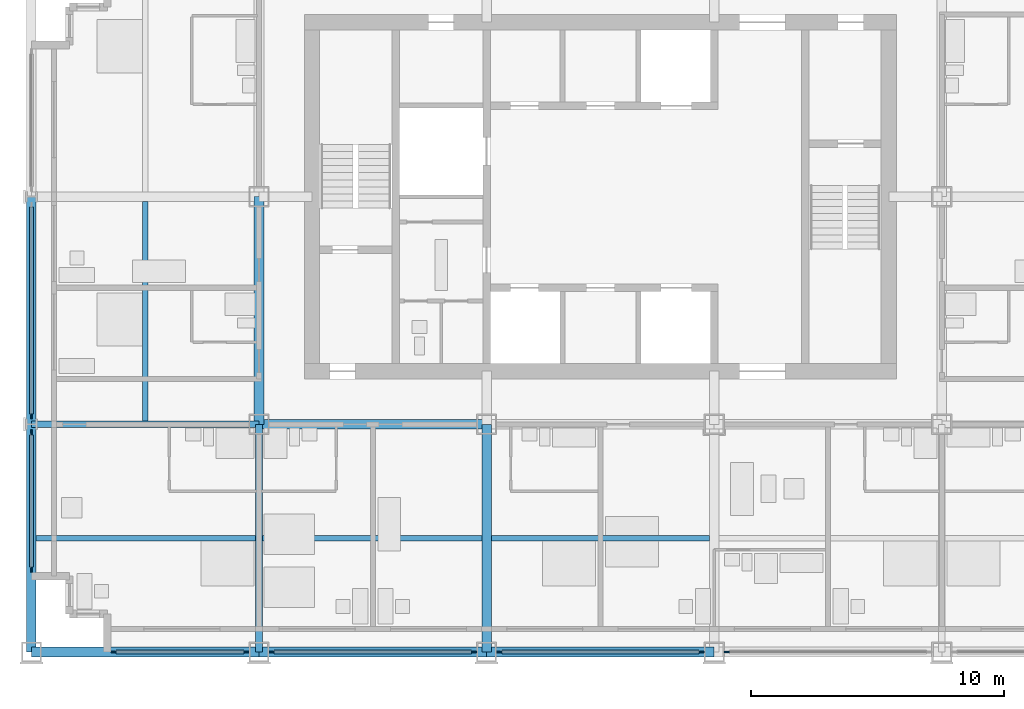
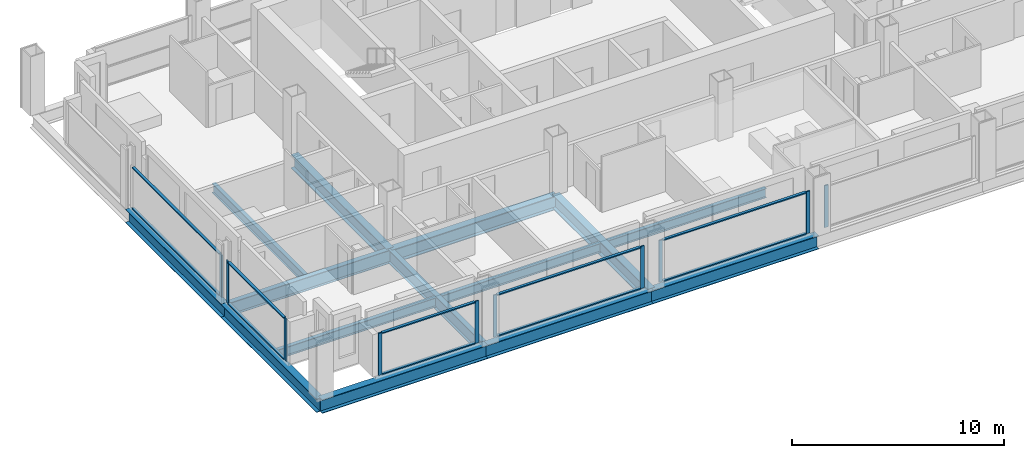
# One storey, part 2 of 13: 20 members, 14 beams, 6 elements without a shape of their own.
"""IFC4 building model written with IfcOpenShell, lengths in metres."""

from ifc_helpers import new_model, si_unit, direction, frame, origin, origin_2d, place, context, subcontext, project, spatial, rectangle, i_section, extrude, material, material_profile, profile_set, type_object, element, aggregate, save


model = new_model("IFC4")

# Units and contexts
model_context = context("Model", 3, precision=1e-05, world=origin(), true_north=direction((0.0, 1.0)))
body_context = subcontext(model_context, "Body", "Model", "MODEL_VIEW")
ifc_project = project(units=[si_unit("LENGTHUNIT", "METRE"), si_unit("AREAUNIT", "SQUARE_METRE"), si_unit("VOLUMEUNIT", "CUBIC_METRE"), si_unit("PLANEANGLEUNIT", "RADIAN"), si_unit("MASSUNIT", "GRAM", prefix="KILO")], contexts=[model_context])

# Site, building, storey
site_placement = place(None, origin())
site = spatial("IfcSite", under=ifc_project, at=site_placement, CompositionType="ELEMENT")
building_placement = place(site_placement, origin())
building = spatial("IfcBuilding", under=site, at=building_placement, Name="Loomwork Tower", CompositionType="ELEMENT")
storey_placement = place(building_placement, frame((0.0, 0.0, 208.0)))
storey = spatial("IfcBuildingStorey", under=building, at=storey_placement, Name="L57", CompositionType="ELEMENT", Elevation=208.0)

# Beams
ifc_material_1 = material(Name="Steel ASTM A992", Category="steel")
ifc_material_profile_1 = material_profile(ifc_material_1, i_section(OverallWidth=0.383544921875, OverallDepth=0.794921875, WebThickness=0.02099609375, FlangeThickness=0.0380859375, at=origin_2d()), Name="W30x235")
ifc_profile_set_1 = profile_set([ifc_material_profile_1], Name="Steel ASTM A992")
beam_type_1 = type_object("IfcBeamType", Name="CORE FLANK GIRDER W30x235", PredefinedType="BEAM", material=ifc_profile_set_1)
for number, where, z_axis, x_axis, name in (
    (1, (9.0, 9.0, -0.597412109375), (1.0, 0.0, 0.0), (0.0, 1.0, 0.0), "Core Flank Girder E/3-E/4 L57"),
    (2, (9.0, 9.0, -0.597412109375), (0.0, 1.0, 0.0), (-1.0, 0.0, 0.0), "Core Flank Girder E/3-F/3 L57"),
    (3, (18.0, 0.0, -0.597412109375), (0.0, 1.0, 0.0), (-1.0, 0.0, 0.0), "Core Flank Girder D/4-E/4 L57"),
):
    element("IfcBeam", number, at=place(storey_placement, frame(where, z_axis=z_axis, x_axis=x_axis)), inside=storey, type_object=beam_type_1, Name=name, PredefinedType="BEAM", context=body_context, shape_type="SweptSolid", body=[
        extrude(i_section(OverallWidth=0.383544921875, OverallDepth=0.794921875, WebThickness=0.02099609375, FlangeThickness=0.0380859375, at=origin_2d()), origin(), (0.0, 0.0, 1.0), 9.0),
    ])
ifc_material_2 = material(Name="Steel ASTM A992", Category="steel")
ifc_material_profile_2 = material_profile(ifc_material_2, i_section(OverallWidth=0.2666015625, OverallDepth=0.761962890625, WebThickness=0.014404296875, FlangeThickness=0.021484375, at=origin_2d()), Name="W30x116")
ifc_profile_set_2 = profile_set([ifc_material_profile_2], Name="Steel ASTM A992")
beam_type_2 = type_object("IfcBeamType", Name="FLOOR GIRDER W30x116", PredefinedType="BEAM", material=ifc_profile_set_2)
for number, where, z_axis, x_axis, name in (
    (4, (0.0, 9.0, -0.5810546875), (1.0, 0.0, 0.0), (0.0, 1.0, 0.0), "Floor Girder E/2-E/3 L57"),
    (5, (9.0, 0.0, -0.5810546875), (0.0, 1.0, 0.0), (-1.0, 0.0, 0.0), "Floor Girder D/3-E/3 L57"),
):
    element("IfcBeam", number, at=place(storey_placement, frame(where, z_axis=z_axis, x_axis=x_axis)), inside=storey, type_object=beam_type_2, Name=name, PredefinedType="BEAM", context=body_context, shape_type="SweptSolid", body=[
        extrude(i_section(OverallWidth=0.2666015625, OverallDepth=0.761962890625, WebThickness=0.014404296875, FlangeThickness=0.021484375, at=origin_2d()), origin(), (0.0, 0.0, 1.0), 9.0),
    ])
ifc_material_3 = material(Name="Steel ASTM A992", Category="steel")
ifc_material_profile_3 = material_profile(ifc_material_3, i_section(OverallWidth=0.2109375, OverallDepth=0.53857421875, WebThickness=0.011474609375, FlangeThickness=0.018798828125, at=origin_2d()), Name="W21x73")
ifc_profile_set_3 = profile_set([ifc_material_profile_3], Name="Steel ASTM A992")
beam_type_3 = type_object("IfcBeamType", Name="FLOOR JOIST W21x73", PredefinedType="JOIST", material=ifc_profile_set_3)
beam_1_placement = place(storey_placement, frame((0.18994140625, 4.5, -0.46923828125), z_axis=(1.0, 0.0, 0.0), x_axis=(0.0, 1.0, 0.0)))
element("IfcBeam", 6, at=beam_1_placement, inside=storey, type_object=beam_type_3, Name="Floor Joist 0.000,4.500-9.000,4.500 L57", PredefinedType="JOIST", context=body_context, shape_type="SweptSolid", body=[
    extrude(i_section(OverallWidth=0.2109375, OverallDepth=0.53857421875, WebThickness=0.011474609375, FlangeThickness=0.018798828125, at=origin_2d()), origin(), (0.0, 0.0, 1.0), 8.677001953125),
])
for number, where, z_axis, x_axis, name in (
    (7, (4.5, 9.133056640625, -0.46923828125), (0.0, 1.0, 0.0), (-1.0, 0.0, 0.0), "Floor Joist 4.500,9.000-4.500,18.000 L57"),
    (8, (9.133056640625, 4.5, -0.46923828125), (1.0, 0.0, 0.0), (0.0, 1.0, 0.0), "Floor Joist 9.000,4.500-18.000,4.500 L57"),
):
    element("IfcBeam", number, at=place(storey_placement, frame(where, z_axis=z_axis, x_axis=x_axis)), inside=storey, type_object=beam_type_3, Name=name, PredefinedType="JOIST", context=body_context, shape_type="SweptSolid", body=[
        extrude(i_section(OverallWidth=0.2109375, OverallDepth=0.53857421875, WebThickness=0.011474609375, FlangeThickness=0.018798828125, at=origin_2d()), origin(), (0.0, 0.0, 1.0), 8.676025390625),
    ])
beam_2_placement = place(storey_placement, frame((18.19091796875, 4.5, -0.46923828125), z_axis=(1.0, 0.0, 0.0), x_axis=(0.0, 1.0, 0.0)))
element("IfcBeam", 9, at=beam_2_placement, inside=storey, type_object=beam_type_3, Name="Floor Joist 18.000,4.500-27.000,4.500 L57", PredefinedType="JOIST", context=body_context, shape_type="SweptSolid", body=[
    extrude(i_section(OverallWidth=0.2109375, OverallDepth=0.53857421875, WebThickness=0.011474609375, FlangeThickness=0.018798828125, at=origin_2d()), origin(), (0.0, 0.0, 1.0), 8.6181640625),
])

# Curtain wall, members
ifc_material_4 = material(Name="Aluminium curtain wall frame", Category="aluminium")
curtain_wall_type = type_object("IfcCurtainWallType", Name="Outer skin glazing hotel", PredefinedType="NOTDEFINED", material=ifc_material_4)
curtain_wall_1_placement = place(storey_placement, origin())
curtain_wall_1 = element("IfcCurtainWall", 10, at=curtain_wall_1_placement, inside=storey, type_object=curtain_wall_type, Name="Outer skin glazing hotel cw/S-0", PredefinedType="NOTDEFINED")
ifc_material_5 = material(Name="Aluminium curtain wall frame", Category="aluminium")
ifc_material_profile_4 = material_profile(ifc_material_5, rectangle(XDim=0.06494140625, YDim=0.199951171875, at=origin_2d()), Name="AL 65x200")
ifc_profile_set_4 = profile_set([ifc_material_profile_4], Name="Aluminium curtain wall frame")
member_type_1 = type_object("IfcMemberType", Name="Outer skin glazing hotel mullion", PredefinedType="MULLION", material=ifc_profile_set_4)
member_1_placement = place(storey_placement, frame((3.25, 0.0, 0.0), z_axis=(0.0, 0.0, 1.0), x_axis=(0.0, 1.0, 0.0)))
member_1 = element("IfcMember", 11, at=member_1_placement, type_object=member_type_1, Name="CW1 mullion 1", PredefinedType="MULLION", context=body_context, shape_type="SweptSolid", body=[
    extrude(rectangle(XDim=0.06494140625, YDim=0.199951171875, at=origin_2d()), origin(), (0.0, 0.0, 1.0), 2.420166015625),
])
member_2_placement = place(storey_placement, frame((8.5, 0.0, 0.0), z_axis=(0.0, 0.0, 1.0), x_axis=(0.0, 1.0, 0.0)))
member_2 = element("IfcMember", 12, at=member_2_placement, type_object=member_type_1, Name="CW1 mullion 2", PredefinedType="MULLION", context=body_context, shape_type="SweptSolid", body=[
    extrude(rectangle(XDim=0.06494140625, YDim=0.199951171875, at=origin_2d()), origin(), (0.0, 0.0, 1.0), 2.420166015625),
])

curtain_wall_2_placement = place(storey_placement, origin())
curtain_wall_2 = element("IfcCurtainWall", 13, at=curtain_wall_2_placement, inside=storey, type_object=curtain_wall_type, Name="Outer skin glazing hotel cw/S-9", PredefinedType="NOTDEFINED")
member_3_placement = place(storey_placement, frame((9.5, 0.0, 0.0), z_axis=(0.0, 0.0, 1.0), x_axis=(0.0, 1.0, 0.0)))
member_3 = element("IfcMember", 14, at=member_3_placement, type_object=member_type_1, Name="CW1 mullion 1", PredefinedType="MULLION", context=body_context, shape_type="SweptSolid", body=[
    extrude(rectangle(XDim=0.06494140625, YDim=0.199951171875, at=origin_2d()), origin(), (0.0, 0.0, 1.0), 2.420166015625),
])
member_4_placement = place(storey_placement, frame((17.5, 0.0, 0.0), z_axis=(0.0, 0.0, 1.0), x_axis=(0.0, 1.0, 0.0)))
member_4 = element("IfcMember", 15, at=member_4_placement, type_object=member_type_1, Name="CW1 mullion 2", PredefinedType="MULLION", context=body_context, shape_type="SweptSolid", body=[
    extrude(rectangle(XDim=0.06494140625, YDim=0.199951171875, at=origin_2d()), origin(), (0.0, 0.0, 1.0), 2.420166015625),
])

curtain_wall_3_placement = place(storey_placement, origin())
curtain_wall_3 = element("IfcCurtainWall", 16, at=curtain_wall_3_placement, inside=storey, type_object=curtain_wall_type, Name="Outer skin glazing hotel cw/S-18", PredefinedType="NOTDEFINED")
member_5_placement = place(storey_placement, frame((18.5, 0.0, 0.0), z_axis=(0.0, 0.0, 1.0), x_axis=(0.0, 1.0, 0.0)))
member_5 = element("IfcMember", 17, at=member_5_placement, type_object=member_type_1, Name="CW1 mullion 1", PredefinedType="MULLION", context=body_context, shape_type="SweptSolid", body=[
    extrude(rectangle(XDim=0.06494140625, YDim=0.199951171875, at=origin_2d()), origin(), (0.0, 0.0, 1.0), 2.420166015625),
])
member_6_placement = place(storey_placement, frame((26.5, 0.0, 0.0), z_axis=(0.0, 0.0, 1.0), x_axis=(0.0, 1.0, 0.0)))
member_6 = element("IfcMember", 18, at=member_6_placement, type_object=member_type_1, Name="CW1 mullion 2", PredefinedType="MULLION", context=body_context, shape_type="SweptSolid", body=[
    extrude(rectangle(XDim=0.06494140625, YDim=0.199951171875, at=origin_2d()), origin(), (0.0, 0.0, 1.0), 2.420166015625),
])

# Curtain wall, member
curtain_wall_4_placement = place(storey_placement, origin())
curtain_wall_4 = element("IfcCurtainWall", 19, at=curtain_wall_4_placement, inside=storey, type_object=curtain_wall_type, Name="Outer skin glazing hotel cw/S-27", PredefinedType="NOTDEFINED")
member_7_placement = place(storey_placement, frame((27.5, 0.0, 0.0), z_axis=(0.0, 0.0, 1.0), x_axis=(0.0, 1.0, 0.0)))
member_7 = element("IfcMember", 20, at=member_7_placement, type_object=member_type_1, Name="CW1 mullion 1", PredefinedType="MULLION", context=body_context, shape_type="SweptSolid", body=[
    extrude(rectangle(XDim=0.06494140625, YDim=0.199951171875, at=origin_2d()), origin(), (0.0, 0.0, 1.0), 2.420166015625),
])
aggregate(curtain_wall_4, [member_7])

# Curtain wall, members
curtain_wall_5_placement = place(storey_placement, origin())
curtain_wall_5 = element("IfcCurtainWall", 21, at=curtain_wall_5_placement, inside=storey, type_object=curtain_wall_type, Name="Outer skin glazing hotel cw/W-0", PredefinedType="NOTDEFINED")
member_8_placement = place(storey_placement, frame((0.0, 8.6865234375, 0.0), z_axis=(0.0, 0.0, 1.0), x_axis=(1.0, 0.0, 0.0)))
member_8 = element("IfcMember", 22, at=member_8_placement, type_object=member_type_1, Name="CW1 mullion 1", PredefinedType="MULLION", context=body_context, shape_type="SweptSolid", body=[
    extrude(rectangle(XDim=0.06494140625, YDim=0.199951171875, at=origin_2d()), origin(), (0.0, 0.0, 1.0), 2.420166015625),
])
member_9_placement = place(storey_placement, frame((0.0, 3.25, 0.0), z_axis=(0.0, 0.0, 1.0), x_axis=(1.0, 0.0, 0.0)))
member_9 = element("IfcMember", 23, at=member_9_placement, type_object=member_type_1, Name="CW1 mullion 2", PredefinedType="MULLION", context=body_context, shape_type="SweptSolid", body=[
    extrude(rectangle(XDim=0.06494140625, YDim=0.199951171875, at=origin_2d()), origin(), (0.0, 0.0, 1.0), 2.420166015625),
])

# Curtain wall, member
curtain_wall_6_placement = place(storey_placement, origin())
curtain_wall_6 = element("IfcCurtainWall", 24, at=curtain_wall_6_placement, inside=storey, type_object=curtain_wall_type, Name="Outer skin glazing hotel cw/W-9", PredefinedType="NOTDEFINED")
member_10_placement = place(storey_placement, frame((0.0, 9.3134765625, 0.0), z_axis=(0.0, 0.0, 1.0), x_axis=(1.0, 0.0, 0.0)))
member_10 = element("IfcMember", 25, at=member_10_placement, type_object=member_type_1, Name="CW1 mullion 2", PredefinedType="MULLION", context=body_context, shape_type="SweptSolid", body=[
    extrude(rectangle(XDim=0.06494140625, YDim=0.199951171875, at=origin_2d()), origin(), (0.0, 0.0, 1.0), 2.420166015625),
])

# Member
ifc_material_6 = material(Name="Aluminium curtain wall frame", Category="aluminium")
ifc_material_profile_5 = material_profile(ifc_material_6, rectangle(XDim=0.14990234375, YDim=0.06494140625, at=origin_2d()), Name="AL 65x150")
ifc_profile_set_5 = profile_set([ifc_material_profile_5], Name="Aluminium curtain wall frame")
member_type_2 = type_object("IfcMemberType", Name="Outer skin glazing hotel transom", PredefinedType="USERDEFINED", material=ifc_profile_set_5)
member_11_placement = place(storey_placement, frame((3.35009765625, 0.0, 0.032470703125), z_axis=(1.0, 0.0, 0.0), x_axis=(0.0, 1.0, 0.0)))
member_11 = element("IfcMember", 26, at=member_11_placement, type_object=member_type_2, Name="CW1 transom 1.1", ObjectType="TRANSOM", PredefinedType="USERDEFINED", context=body_context, shape_type="SweptSolid", body=[
    extrude(rectangle(XDim=0.14990234375, YDim=0.06494140625, at=origin_2d()), origin(), (0.0, 0.0, 1.0), 5.0498046875),
])

member_12_placement = place(storey_placement, frame((3.35009765625, 0.0, 2.3876953125), z_axis=(1.0, 0.0, 0.0), x_axis=(0.0, 1.0, 0.0)))
member_12 = element("IfcMember", 27, at=member_12_placement, type_object=member_type_2, Name="CW1 transom 1.2", ObjectType="TRANSOM", PredefinedType="USERDEFINED", context=body_context, shape_type="SweptSolid", body=[
    extrude(rectangle(XDim=0.14990234375, YDim=0.06494140625, at=origin_2d()), origin(), (0.0, 0.0, 1.0), 5.0498046875),
])

aggregate(curtain_wall_1, [member_1, member_2, member_11, member_12])

member_13_placement = place(storey_placement, frame((9.60009765625, 0.0, 0.032470703125), z_axis=(1.0, 0.0, 0.0), x_axis=(0.0, 1.0, 0.0)))
member_13 = element("IfcMember", 28, at=member_13_placement, type_object=member_type_2, Name="CW1 transom 1.1", ObjectType="TRANSOM", PredefinedType="USERDEFINED", context=body_context, shape_type="SweptSolid", body=[
    extrude(rectangle(XDim=0.14990234375, YDim=0.06494140625, at=origin_2d()), origin(), (0.0, 0.0, 1.0), 7.7998046875),
])

member_14_placement = place(storey_placement, frame((9.60009765625, 0.0, 2.3876953125), z_axis=(1.0, 0.0, 0.0), x_axis=(0.0, 1.0, 0.0)))
member_14 = element("IfcMember", 29, at=member_14_placement, type_object=member_type_2, Name="CW1 transom 1.2", ObjectType="TRANSOM", PredefinedType="USERDEFINED", context=body_context, shape_type="SweptSolid", body=[
    extrude(rectangle(XDim=0.14990234375, YDim=0.06494140625, at=origin_2d()), origin(), (0.0, 0.0, 1.0), 7.7998046875),
])

aggregate(curtain_wall_2, [member_3, member_4, member_13, member_14])

member_15_placement = place(storey_placement, frame((18.60009765625, 0.0, 0.032470703125), z_axis=(1.0, 0.0, 0.0), x_axis=(0.0, 1.0, 0.0)))
member_15 = element("IfcMember", 30, at=member_15_placement, type_object=member_type_2, Name="CW1 transom 1.1", ObjectType="TRANSOM", PredefinedType="USERDEFINED", context=body_context, shape_type="SweptSolid", body=[
    extrude(rectangle(XDim=0.14990234375, YDim=0.06494140625, at=origin_2d()), origin(), (0.0, 0.0, 1.0), 7.7998046875),
])

member_16_placement = place(storey_placement, frame((18.60009765625, 0.0, 2.3876953125), z_axis=(1.0, 0.0, 0.0), x_axis=(0.0, 1.0, 0.0)))
member_16 = element("IfcMember", 31, at=member_16_placement, type_object=member_type_2, Name="CW1 transom 1.2", ObjectType="TRANSOM", PredefinedType="USERDEFINED", context=body_context, shape_type="SweptSolid", body=[
    extrude(rectangle(XDim=0.14990234375, YDim=0.06494140625, at=origin_2d()), origin(), (0.0, 0.0, 1.0), 7.7998046875),
])

aggregate(curtain_wall_3, [member_5, member_6, member_15, member_16])

member_17_placement = place(storey_placement, frame((0.0, 8.586669921875, 0.032470703125), z_axis=(0.0, -1.0, 0.0), x_axis=(1.0, 0.0, 0.0)))
member_17 = element("IfcMember", 32, at=member_17_placement, type_object=member_type_2, Name="CW1 transom 1.1", ObjectType="TRANSOM", PredefinedType="USERDEFINED", context=body_context, shape_type="SweptSolid", body=[
    extrude(rectangle(XDim=0.14990234375, YDim=0.06494140625, at=origin_2d()), origin(), (0.0, 0.0, 1.0), 5.236572265625),
])

member_18_placement = place(storey_placement, frame((0.0, 8.586669921875, 2.3876953125), z_axis=(0.0, -1.0, 0.0), x_axis=(1.0, 0.0, 0.0)))
member_18 = element("IfcMember", 33, at=member_18_placement, type_object=member_type_2, Name="CW1 transom 1.2", ObjectType="TRANSOM", PredefinedType="USERDEFINED", context=body_context, shape_type="SweptSolid", body=[
    extrude(rectangle(XDim=0.14990234375, YDim=0.06494140625, at=origin_2d()), origin(), (0.0, 0.0, 1.0), 5.236572265625),
])

aggregate(curtain_wall_5, [member_8, member_9, member_17, member_18])

member_19_placement = place(storey_placement, frame((0.0, 17.586669921875, 0.032470703125), z_axis=(0.0, -1.0, 0.0), x_axis=(1.0, 0.0, 0.0)))
member_19 = element("IfcMember", 34, at=member_19_placement, type_object=member_type_2, Name="CW1 transom 1.1", ObjectType="TRANSOM", PredefinedType="USERDEFINED", context=body_context, shape_type="SweptSolid", body=[
    extrude(rectangle(XDim=0.14990234375, YDim=0.06494140625, at=origin_2d()), origin(), (0.0, 0.0, 1.0), 8.17333984375),
])

member_20_placement = place(storey_placement, frame((0.0, 17.586669921875, 2.3876953125), z_axis=(0.0, -1.0, 0.0), x_axis=(1.0, 0.0, 0.0)))
member_20 = element("IfcMember", 35, at=member_20_placement, type_object=member_type_2, Name="CW1 transom 1.2", ObjectType="TRANSOM", PredefinedType="USERDEFINED", context=body_context, shape_type="SweptSolid", body=[
    extrude(rectangle(XDim=0.14990234375, YDim=0.06494140625, at=origin_2d()), origin(), (0.0, 0.0, 1.0), 8.17333984375),
])

aggregate(curtain_wall_6, [member_10, member_19, member_20])

# Beams
ifc_material_7 = material(Name="Steel ASTM A992", Category="steel")
ifc_material_profile_6 = material_profile(ifc_material_7, i_section(OverallWidth=0.381103515625, OverallDepth=0.77978515625, WebThickness=0.01806640625, FlangeThickness=0.0302734375, at=origin_2d()), Name="W30x191")
ifc_profile_set_6 = profile_set([ifc_material_profile_6], Name="Steel ASTM A992")
beam_type_4 = type_object("IfcBeamType", Name="SPANDREL GIRDER W30x191", PredefinedType="SPANDREL", material=ifc_profile_set_6)
for number, where, z_axis, x_axis, name in (
    (36, (0.0, 0.0, -0.58984375), (1.0, 0.0, 0.0), (0.0, 1.0, 0.0), "Spandrel Girder D/2-D/3 L57"),
    (37, (9.0, 0.0, -0.58984375), (1.0, 0.0, 0.0), (0.0, 1.0, 0.0), "Spandrel Girder D/3-D/4 L57"),
    (38, (18.0, 0.0, -0.58984375), (1.0, 0.0, 0.0), (0.0, 1.0, 0.0), "Spandrel Girder D/4-D/5 L57"),
    (39, (0.0, 0.0, -0.58984375), (0.0, 1.0, 0.0), (-1.0, 0.0, 0.0), "Spandrel Girder D/2-E/2 L57"),
    (40, (0.0, 9.0, -0.58984375), (0.0, 1.0, 0.0), (-1.0, 0.0, 0.0), "Spandrel Girder E/2-F/2 L57"),
):
    element("IfcBeam", number, at=place(storey_placement, frame(where, z_axis=z_axis, x_axis=x_axis)), inside=storey, type_object=beam_type_4, Name=name, PredefinedType="SPANDREL", context=body_context, shape_type="SweptSolid", body=[
        extrude(i_section(OverallWidth=0.381103515625, OverallDepth=0.77978515625, WebThickness=0.01806640625, FlangeThickness=0.0302734375, at=origin_2d()), origin(), (0.0, 0.0, 1.0), 9.0),
    ])

save(model, "model.ifc")
